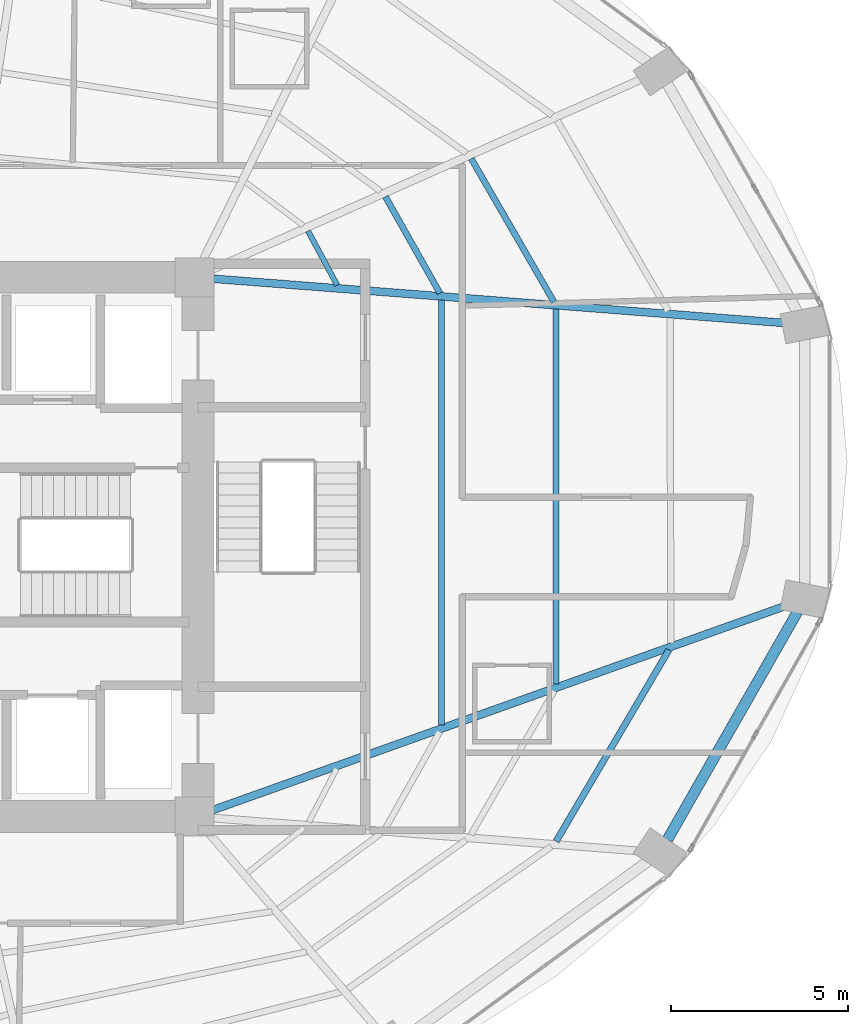
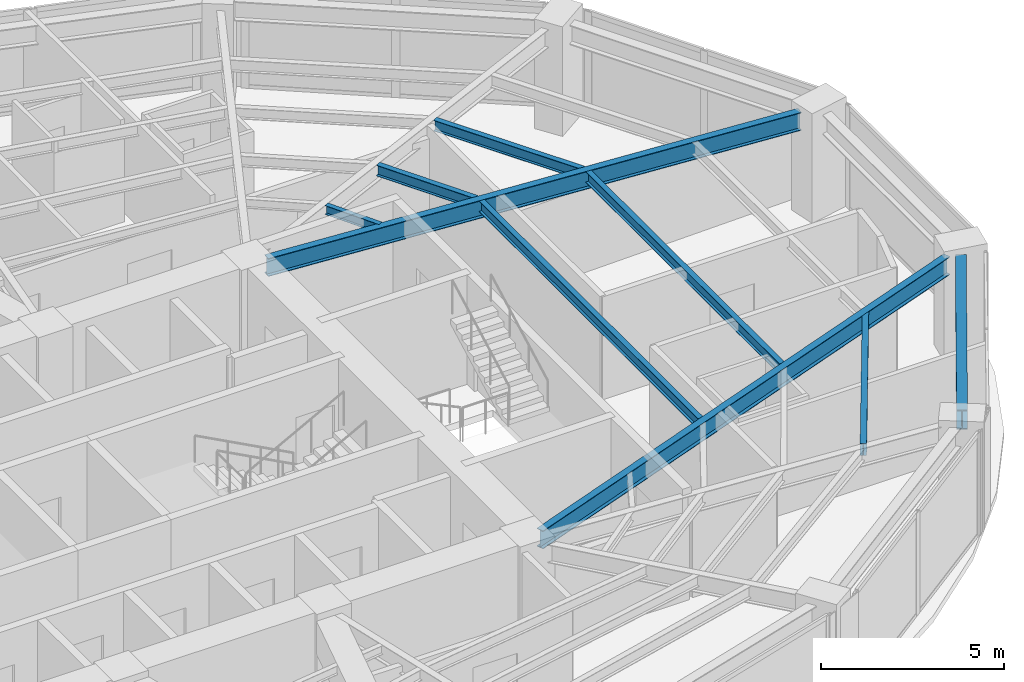
# One storey, part 11 of 25: 9 beams.
"""IFC4 building model written with IfcOpenShell, lengths in metres."""

from ifc_helpers import new_model, si_unit, direction, frame, origin, origin_2d, place, context, subcontext, project, spatial, i_section, extrude, material, material_profile, profile_set, type_object, element, save


model = new_model("IFC4")

# Units and contexts
model_context = context("Model", 3, precision=1e-05, world=origin(), true_north=direction((0.0, 1.0)))
body_context = subcontext(model_context, "Body", "Model", "MODEL_VIEW")
ifc_project = project(units=[si_unit("LENGTHUNIT", "METRE"), si_unit("AREAUNIT", "SQUARE_METRE"), si_unit("VOLUMEUNIT", "CUBIC_METRE"), si_unit("PLANEANGLEUNIT", "RADIAN"), si_unit("MASSUNIT", "GRAM", prefix="KILO")], contexts=[model_context])

# Site, building, storey
site_placement = place(None, origin())
site = spatial("IfcSite", under=ifc_project, at=site_placement, CompositionType="ELEMENT")
building_placement = place(site_placement, origin())
building = spatial("IfcBuilding", under=site, at=building_placement, Name="Lazwardi Medical Tower", CompositionType="ELEMENT")
storey_placement = place(building_placement, frame((0.0, 0.0, 28.847900390625)))
storey = spatial("IfcBuildingStorey", under=building, at=storey_placement, Name="L06", CompositionType="ELEMENT", Elevation=28.847900390625)

# Beams
ifc_material = material(Name="Steel S355", Category="steel")
ifc_material_profile_1 = material_profile(ifc_material, i_section(OverallWidth=0.300048828125, OverallDepth=0.64990234375, WebThickness=0.01611328125, FlangeThickness=0.031005859375, at=origin_2d()), Name="HEB 650")
ifc_profile_set_1 = profile_set([ifc_material_profile_1], Name="Steel S355")
beam_type_1 = type_object("IfcBeamType", Name="BM-RB-Z1", PredefinedType="BEAM", material=ifc_profile_set_1)
beam_1_placement = place(storey_placement, frame((58.927978515625, 19.75048828125, 3.10302734375), z_axis=(0.495829348644, 0.868419977328, 0.0), x_axis=(-0.868419977328, 0.495829348644, 0.0)))
element("IfcBeam", 1, at=beam_1_placement, inside=storey, type_object=beam_type_1, Name="Ring beam RB-02 B03 L06", PredefinedType="BEAM", context=body_context, shape_type="SweptSolid", body=[
    extrude(i_section(OverallWidth=0.300048828125, OverallDepth=0.64990234375, WebThickness=0.01611328125, FlangeThickness=0.031005859375, at=origin_2d()), origin(), (0.0, 0.0, 1.0), 7.38916015625),
])
ifc_material_profile_2 = material_profile(ifc_material, i_section(OverallWidth=0.219970703125, OverallDepth=0.60009765625, WebThickness=0.011962890625, FlangeThickness=0.01904296875, at=origin_2d()), Name="IPE 600")
ifc_profile_set_2 = profile_set([ifc_material_profile_2], Name="Steel S355")
beam_type_2 = type_object("IfcBeamType", Name="BM-RG-W1", PredefinedType="BEAM", material=ifc_profile_set_2)
beam_2_placement = place(storey_placement, frame((62.253662109375, 26.33740234375, 3.128173828125), z_axis=(-0.941925080425, -0.335823082688, 0.0), x_axis=(0.335823082688, -0.941925080425, 0.0)))
element("IfcBeam", 2, at=beam_2_placement, inside=storey, type_object=beam_type_2, Name="Radial girder RG-02 R04 L06", PredefinedType="BEAM", context=body_context, shape_type="SweptSolid", body=[
    extrude(i_section(OverallWidth=0.219970703125, OverallDepth=0.60009765625, WebThickness=0.011962890625, FlangeThickness=0.01904296875, at=origin_2d()), origin(), (0.0, 0.0, 1.0), 17.145263671875),
])
beam_3_placement = place(storey_placement, frame((62.2216796875, 34.3125, 3.128173828125), z_axis=(-0.997013942066, 0.077221754231, 0.0), x_axis=(-0.077221754231, -0.997013942066, 0.0)))
element("IfcBeam", 3, at=beam_3_placement, inside=storey, type_object=beam_type_2, Name="Radial girder RG-02 R05 L06", PredefinedType="BEAM", context=body_context, shape_type="SweptSolid", body=[
    extrude(i_section(OverallWidth=0.219970703125, OverallDepth=0.60009765625, WebThickness=0.011962890625, FlangeThickness=0.01904296875, at=origin_2d()), origin(), (0.0, 0.0, 1.0), 16.136474609375),
])
ifc_material_profile_3 = material_profile(ifc_material, i_section(OverallWidth=0.179931640625, OverallDepth=0.39990234375, WebThickness=0.008544921875, FlangeThickness=0.013427734375, at=origin_2d()), Name="IPE 400")
ifc_profile_set_3 = profile_set([ifc_material_profile_3], Name="Steel S355")
beam_type_3 = type_object("IfcBeamType", Name="BM-SJ-01", PredefinedType="JOIST", material=ifc_profile_set_3)
beam_4_placement = place(storey_placement, frame((55.793212890625, 19.70654296875, 3.22802734375), z_axis=(0.507886270937, 0.861424132349, 0.0), x_axis=(-0.861424132349, 0.507886270937, 0.0)))
element("IfcBeam", 4, at=beam_4_placement, inside=storey, type_object=beam_type_3, Name="Secondary joist SJ-01 R1 B03 L06", PredefinedType="JOIST", context=body_context, shape_type="SweptSolid", body=[
    extrude(i_section(OverallWidth=0.179931640625, OverallDepth=0.39990234375, WebThickness=0.008544921875, FlangeThickness=0.013427734375, at=origin_2d()), origin(), (0.0, 0.0, 1.0), 6.255859375),
])
ifc_material_profile_4 = material_profile(ifc_material, i_section(OverallWidth=0.169921875, OverallDepth=0.360107421875, WebThickness=0.008056640625, FlangeThickness=0.0126953125, at=origin_2d()), Name="IPE 360")
ifc_profile_set_4 = profile_set([ifc_material_profile_4], Name="Steel S355")
beam_type_4 = type_object("IfcBeamType", Name="BM-SJ-02", PredefinedType="JOIST", material=ifc_profile_set_4)
beam_5_placement = place(storey_placement, frame((55.793701171875, 24.139404296875, 3.248046875), z_axis=(-0.000670039821, 0.999999775523, 0.0), x_axis=(-0.999999775523, -0.000670039821, 0.0)))
element("IfcBeam", 5, at=beam_5_placement, inside=storey, type_object=beam_type_4, Name="Secondary joist SJ-02 R2 B04 L06", PredefinedType="JOIST", context=body_context, shape_type="SweptSolid", body=[
    extrude(i_section(OverallWidth=0.169921875, OverallDepth=0.360107421875, WebThickness=0.008056640625, FlangeThickness=0.0126953125, at=origin_2d()), origin(), (0.0, 0.0, 1.0), 10.566650390625),
])
beam_6_placement = place(storey_placement, frame((55.73388671875, 34.90185546875, 3.248046875), z_axis=(-0.499785866494, 0.866148998529, 0.0), x_axis=(-0.866148998529, -0.499785866494, 0.0)))
element("IfcBeam", 6, at=beam_6_placement, inside=storey, type_object=beam_type_4, Name="Secondary joist SJ-02 R2 B05 L06", PredefinedType="JOIST", context=body_context, shape_type="SweptSolid", body=[
    extrude(i_section(OverallWidth=0.169921875, OverallDepth=0.360107421875, WebThickness=0.008056640625, FlangeThickness=0.0126953125, at=origin_2d()), origin(), (0.0, 0.0, 1.0), 4.666015625),
])
beam_7_placement = place(storey_placement, frame((52.56396484375, 22.98779296875, 3.248046875), z_axis=(0.000387612685, 0.999999924878, 0.0), x_axis=(-0.999999924878, 0.000387612685, 0.0)))
element("IfcBeam", 7, at=beam_7_placement, inside=storey, type_object=beam_type_4, Name="Secondary joist SJ-02 R3 B04 L06", PredefinedType="JOIST", context=body_context, shape_type="SweptSolid", body=[
    extrude(i_section(OverallWidth=0.169921875, OverallDepth=0.360107421875, WebThickness=0.008056640625, FlangeThickness=0.0126953125, at=origin_2d()), origin(), (0.0, 0.0, 1.0), 11.96728515625),
])
beam_8_placement = place(storey_placement, frame((52.51708984375, 35.151611328125, 3.248046875), z_axis=(-0.491923287977, 0.870638546554, 0.0), x_axis=(-0.870638546554, -0.491923287977, 0.0)))
element("IfcBeam", 8, at=beam_8_placement, inside=storey, type_object=beam_type_4, Name="Secondary joist SJ-02 R3 B05 L06", PredefinedType="JOIST", context=body_context, shape_type="SweptSolid", body=[
    extrude(i_section(OverallWidth=0.169921875, OverallDepth=0.360107421875, WebThickness=0.008056640625, FlangeThickness=0.0126953125, at=origin_2d()), origin(), (0.0, 0.0, 1.0), 3.122802734375),
])
ifc_material_profile_5 = material_profile(ifc_material, i_section(OverallWidth=0.14990234375, OverallDepth=0.300048828125, WebThickness=0.007080078125, FlangeThickness=0.0107421875, at=origin_2d()), Name="IPE 300")
ifc_profile_set_5 = profile_set([ifc_material_profile_5], Name="Steel S355")
beam_type_5 = type_object("IfcBeamType", Name="BM-SJ-03", PredefinedType="JOIST", material=ifc_profile_set_5)
beam_9_placement = place(storey_placement, frame((49.623046875, 35.376953125, 3.278076171875), z_axis=(-0.473982292828, 0.880534375301, 0.0), x_axis=(-0.880534375301, -0.473982292828, 0.0)))
element("IfcBeam", 9, at=beam_9_placement, inside=storey, type_object=beam_type_5, Name="Secondary joist SJ-03 R4 B05 L06", PredefinedType="JOIST", context=body_context, shape_type="SweptSolid", body=[
    extrude(i_section(OverallWidth=0.14990234375, OverallDepth=0.300048828125, WebThickness=0.007080078125, FlangeThickness=0.0107421875, at=origin_2d()), origin(), (0.0, 0.0, 1.0), 1.734375),
])

save(model, "model.ifc")
